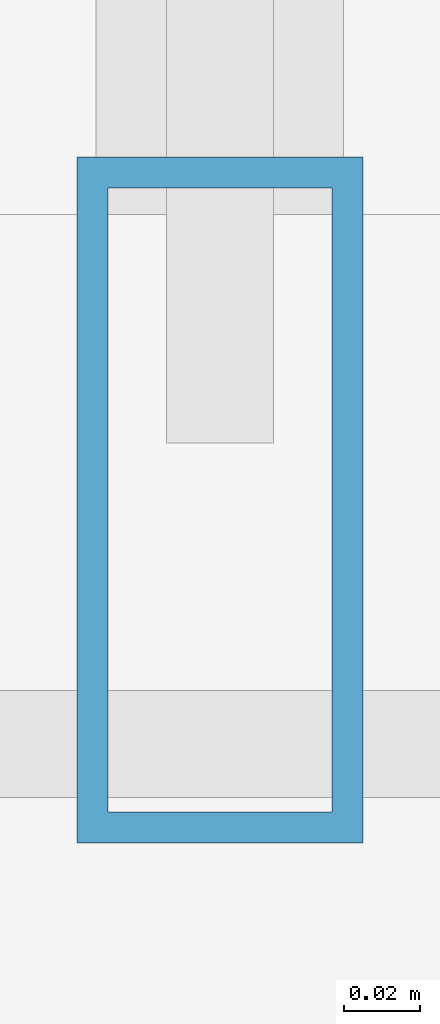
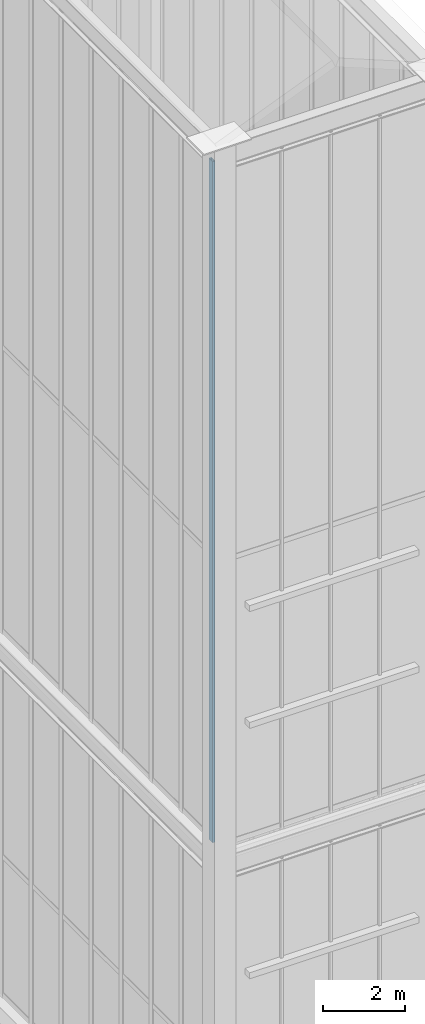
# One storey, part 29 of 135: 1 member, 1 element without a shape of its own.
"""IFC4 building model written with IfcOpenShell, lengths in metres."""

from ifc_helpers import new_model, si_unit, direction, frame, origin, origin_2d, place, context, subcontext, project, spatial, hollow_rectangle, extrude, source, transform, mapped, material, layer, layer_set, material_profile, profile_set, type_object, element, aggregate, save


model = new_model("IFC4")

# Units and contexts
model_context = context("Model", 3, precision=1e-05, world=origin(), true_north=direction((0.0, 1.0)))
body_context = subcontext(model_context, "Body", "Model", "MODEL_VIEW")
ifc_project = project(units=[si_unit("LENGTHUNIT", "METRE"), si_unit("AREAUNIT", "SQUARE_METRE"), si_unit("VOLUMEUNIT", "CUBIC_METRE"), si_unit("PLANEANGLEUNIT", "RADIAN"), si_unit("MASSUNIT", "GRAM", prefix="KILO")], contexts=[model_context])

# Site, building, storey
site_placement = place(None, origin())
site = spatial("IfcSite", under=ifc_project, at=site_placement, CompositionType="ELEMENT")
building_placement = place(site_placement, origin())
building = spatial("IfcBuilding", under=site, at=building_placement, Name="Giltprow Tower", CompositionType="ELEMENT")
storey_placement = place(building_placement, frame((0.0, 0.0, 352.699951171875)))
storey = spatial("IfcBuildingStorey", under=building, at=storey_placement, Name="L92", CompositionType="ELEMENT", Elevation=352.699951171875)

# Curtain wall, member
ifc_material = material(Name="Anodized bronze", Category="metal")
ifc_layer = layer(ifc_material, 0.179931640625, Name="Anodized bronze")
ifc_layer_set = layer_set([ifc_layer], Name="Anodized bronze")
curtain_wall_type = type_object("IfcCurtainWallType", Name="CW-CROWN-LANTERN", PredefinedType="NOTDEFINED", material=ifc_layer_set)
curtain_wall_placement = place(storey_placement, origin())
curtain_wall = element("IfcCurtainWall", 1, at=curtain_wall_placement, inside=storey, type_object=curtain_wall_type, Name="Crown East Upper Lantern Glazing 6", PredefinedType="NOTDEFINED")
ifc_material_profile = material_profile(ifc_material, hollow_rectangle(XDim=0.074951171875, YDim=0.179931640625, WallThickness=0.008056640625, at=origin_2d()), Name="RHS 180x75x8")
ifc_profile_set = profile_set([ifc_material_profile], Name="Anodized bronze")
member_type = type_object("IfcMemberType", Name="CW-MULLION-180x75", PredefinedType="MULLION", material=ifc_profile_set)
shared_shape = source(origin(), body_context, "Body", "SweptSolid", [
    extrude(hollow_rectangle(XDim=0.074951171875, YDim=0.179931640625, WallThickness=0.008056640625, at=origin_2d()), origin(), (0.0, 0.0, 1.0), 20.406005859375),
])
member_placement = place(storey_placement, frame((44.300048828125, 23.85009765625, 17.25), z_axis=(0.0, 0.0, 1.0), x_axis=(1.0, 0.0, 0.0)))
member = element("IfcMember", 2, at=member_placement, type_object=member_type, Name="Crown East Upper Lantern Glazing 6 Mullion 10", PredefinedType="MULLION", context=body_context, shape_type="MappedRepresentation", body=[
    mapped(shared_shape, transform((0.0, 0.0, 0.0), x_axis=(1.0, 0.0, 0.0), y_axis=(0.0, 1.0, 0.0), z_axis=(0.0, 0.0, 1.0), scale=1.0)),
])
aggregate(curtain_wall, [member])

save(model, "model.ifc")
